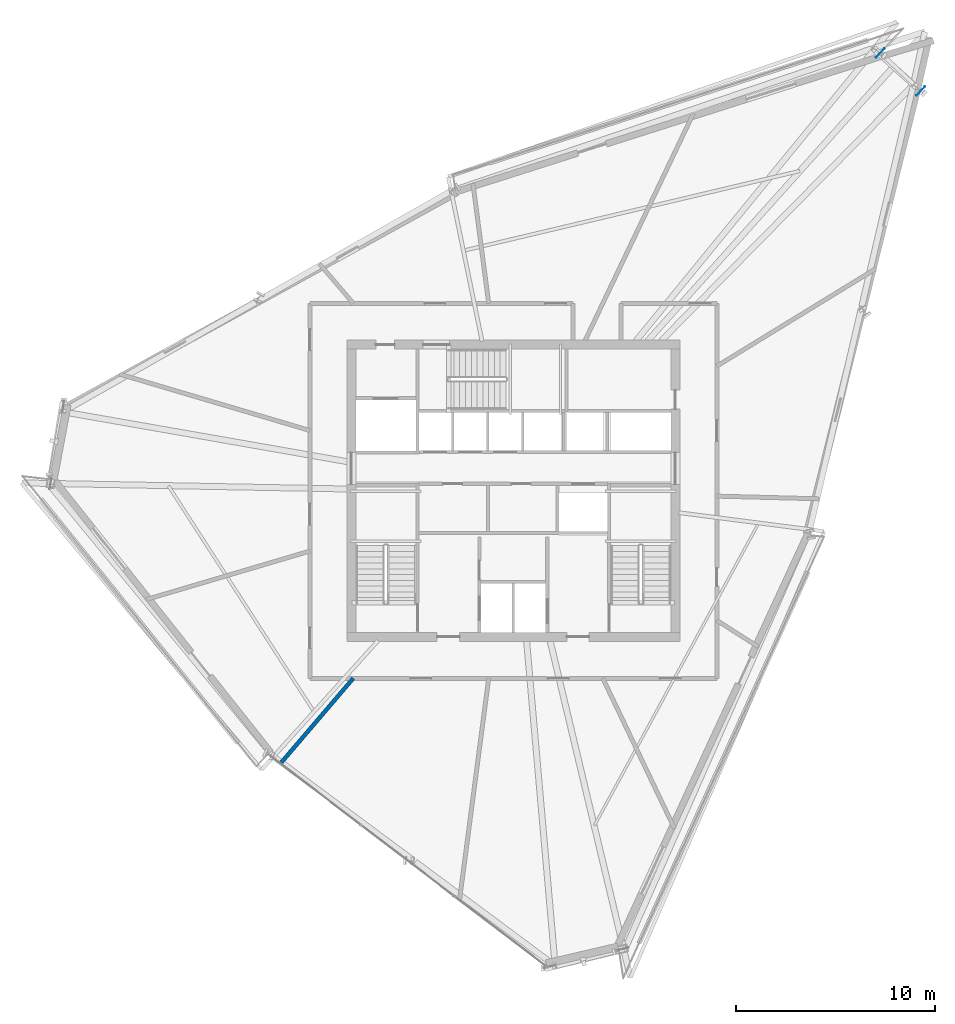
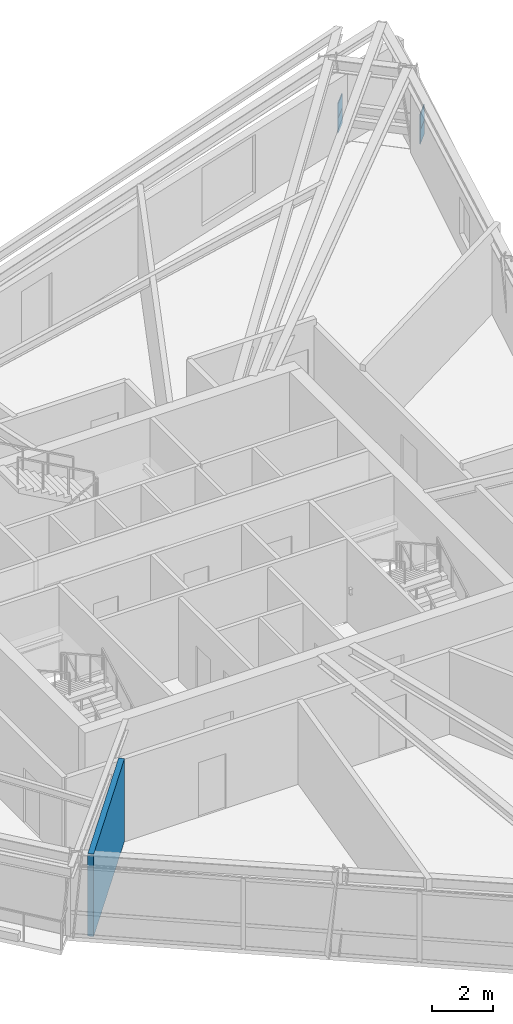
# One storey, part 7 of 13: 4 plates, 1 wall.
"""IFC4 building model written with IfcOpenShell, lengths in metres."""

from ifc_helpers import new_model, si_unit, direction, frame, frame_2d, origin, origin_2d, place, context, subcontext, project, spatial, rectangle, extrude, source, transform, mapped, material, layer, layer_set, type_object, element, save


model = new_model("IFC4")

# Units and contexts
model_context = context("Model", 3, precision=1e-05, world=origin(), true_north=direction((0.0, 1.0)))
body_context = subcontext(model_context, "Body", "Model", "MODEL_VIEW")
ifc_project = project(units=[si_unit("LENGTHUNIT", "METRE"), si_unit("AREAUNIT", "SQUARE_METRE"), si_unit("VOLUMEUNIT", "CUBIC_METRE"), si_unit("PLANEANGLEUNIT", "RADIAN"), si_unit("MASSUNIT", "GRAM", prefix="KILO")], contexts=[model_context])

# Site, building, storey
site_placement = place(None, origin())
site = spatial("IfcSite", under=ifc_project, at=site_placement, CompositionType="ELEMENT")
building_placement = place(site_placement, origin())
building = spatial("IfcBuilding", under=site, at=building_placement, Name="Olszyna Solenne Hotel", CompositionType="ELEMENT")
storey_placement = place(building_placement, frame((0.0, 0.0, 227.35009765625)))
storey = spatial("IfcBuildingStorey", under=building, at=storey_placement, Name="L60", CompositionType="ELEMENT", Elevation=227.35009765625)

# Plates
ifc_material_1 = material(Name="Steel S460M", Category="steel")
plate_type = type_object("IfcPlateType", Name="GP-CAP2", PredefinedType="USERDEFINED", material=ifc_material_1)
shared_shape = source(origin(), body_context, "Body", "SweptSolid", [
    extrude(rectangle(XDim=0.030029296875, YDim=0.6201171875, at=origin_2d()), origin(), (0.0, 0.0, 1.0), 0.6201171875),
])
for number, where, z_axis, x_axis, name in (
    (1, (58.43212890625, 46.653076171875, 1.039794921875), (0.0, 0.0, 1.0), (-0.730758267372, 0.6826363268, 0.0), "Hollow section end-cap plate GP-CAP2 CP-PR-M-L60-PR1-1"),
    (2, (56.397216796875, 48.5537109375, 1.039794921875), (0.0, 0.0, 1.0), (-0.730758267372, 0.6826363268, 0.0), "Hollow section end-cap plate GP-CAP2 CP-PR-M-L60-PR1-2"),
    (3, (58.43212890625, 46.653076171875, 0.4697265625), (0.0, 0.0, 1.0), (-0.730758267372, 0.6826363268, 0.0), "Hollow section end-cap plate GP-CAP2 CP-PR-M-L60-PR2-1"),
    (4, (56.397216796875, 48.5537109375, 0.4697265625), (0.0, 0.0, 1.0), (-0.730758267372, 0.6826363268, 0.0), "Hollow section end-cap plate GP-CAP2 CP-PR-M-L60-PR2-2"),
):
    element("IfcPlate", number, at=place(storey_placement, frame(where, z_axis=z_axis, x_axis=x_axis)), inside=storey, type_object=plate_type, Name=name, ObjectType="GUSSET_PLATE", PredefinedType="USERDEFINED", context=body_context, shape_type="MappedRepresentation", body=[
        mapped(shared_shape, transform((0.0, 0.0, 0.0), x_axis=(1.0, 0.0, 0.0), y_axis=(0.0, 1.0, 0.0), z_axis=(0.0, 0.0, 1.0), scale=1.0)),
    ])

# Wall
ifc_material_2 = material(Name="Acoustic gypsum partition", Category="gypsum")
ifc_layer = layer(ifc_material_2, 0.199951171875, Name="Acoustic gypsum partition")
ifc_layer_set = layer_set([ifc_layer], Name="Acoustic gypsum partition")
wall_type = type_object("IfcWallType", Name="WL-PT200", PredefinedType="PARTITIONING", material=ifc_layer_set)
wall_placement = place(storey_placement, frame((29.9716796875, 17.199951171875, 0.0), z_axis=(0.0, 0.0, 1.0), x_axis=(-0.649446430955, -0.760407346966, 0.0)))
element("IfcWall", 5, at=wall_placement, inside=storey, type_object=wall_type, Name="Interior acoustic partition WL-PT200 PW-L60-3328", PredefinedType="PARTITIONING", context=body_context, shape_type="SweptSolid", body=[
    extrude(rectangle(XDim=5.59521484375, YDim=0.199951171875, at=frame_2d((2.797607421875, 0.0))), origin(), (0.0, 0.0, 1.0), 3.329833984375),
])

save(model, "model.ifc")
